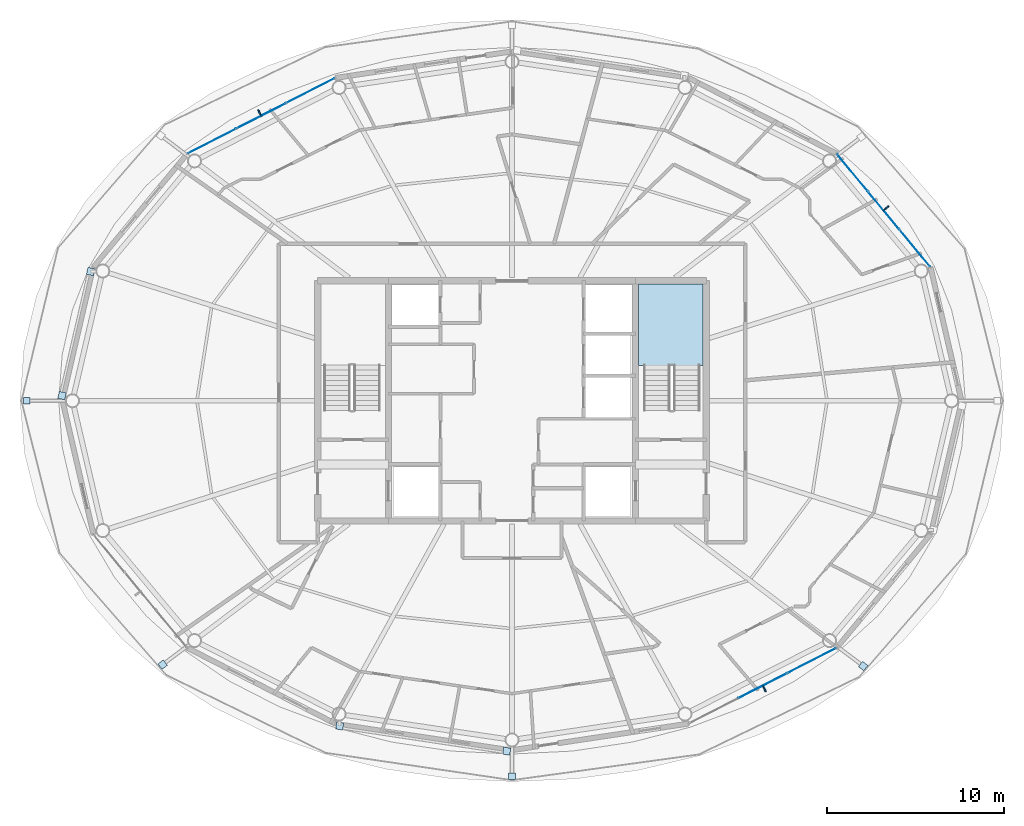
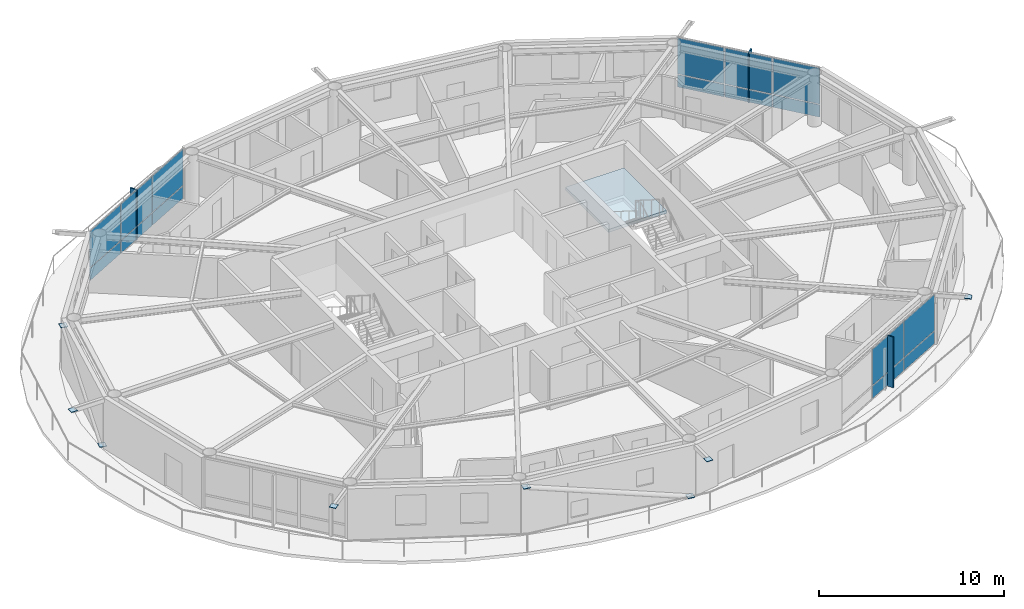
# One storey, part 14 of 23: 27 plates, 1 slab, 4 elements without a shape of their own.
"""IFC4 building model written with IfcOpenShell, lengths in metres."""

import ifcopenshell
import ifcopenshell.guid

model = None  # the IFC model being written
_history = None  # IfcOwnerHistory: only IFC2X3 demands one
_inside = {}  # id of a spatial element -> (the spatial element, [elements in it])
_under = {}  # id of a project, library or spatial element -> (it, [spatial elements below it])
_declared = {}  # id of a project -> (the project, [libraries it declares])
_typed = {}  # id of a type object -> (the type object, [elements of that type])
_made_of = {}  # id of a material, layer set ... -> (it, [elements and type objects made of it])


def new_model(schema):
    """Start an empty IFC model of exactly this schema.

    Asked for "IFC4X3", IfcOpenShell would pick the latest addendum, in which some entities
    have other attributes; the version numbers below select the first issue.
    IFC2X3 requires an IfcOwnerHistory on every rooted entity: one is made here for all.
    """
    global model, _history
    if schema == "IFC4X3":
        model = ifcopenshell.file(schema_version=(4, 3, 0, 0))
    else:
        model = ifcopenshell.file(schema=schema)
    _inside.clear()
    _under.clear()
    _declared.clear()
    _typed.clear()
    _made_of.clear()
    _history = None
    if model.schema == "IFC2X3":
        org = make("IfcOrganization", Name="unknown")
        user = make(
            "IfcPersonAndOrganization",
            ThePerson=make("IfcPerson", FamilyName="unknown"),
            TheOrganization=org,
        )
        app = make(
            "IfcApplication",
            ApplicationDeveloper=org,
            Version="unknown",
            ApplicationFullName="unknown",
            ApplicationIdentifier="unknown",
        )
        _history = make(
            "IfcOwnerHistory",
            OwningUser=user,
            OwningApplication=app,
            ChangeAction="ADDED",
            CreationDate=0,
        )
    return model


def make(cls, **values):
    """One entity of the class cls with the attributes given. An attribute that is None is left unset."""
    return model.create_entity(
        cls, **{name: value for name, value in values.items() if value is not None}
    )


def rooted(cls, **values):
    """An entity with a GlobalId (a new one), such as an element, a storey or a relation."""
    return make(cls, GlobalId=ifcopenshell.guid.new(), OwnerHistory=_history, **values)


def si_unit(unit_type, name, prefix=None):
    """IfcSIUnit, for example si_unit("LENGTHUNIT", "METRE", prefix="MILLI")."""
    return make("IfcSIUnit", UnitType=unit_type, Prefix=prefix, Name=name)


def assignment(units):
    """IfcUnitAssignment: the units of a project."""
    return None if units is None else make("IfcUnitAssignment", Units=units)


def point(xyz):
    """IfcCartesianPoint."""
    return None if xyz is None else make("IfcCartesianPoint", Coordinates=xyz)


def direction(xyz):
    """IfcDirection."""
    return None if xyz is None else make("IfcDirection", DirectionRatios=xyz)


def frame(location, z_axis=None, x_axis=None):
    """IfcAxis2Placement3D, a coordinate frame: its origin and axes. An axis left out is left unset."""
    return make(
        "IfcAxis2Placement3D",
        Location=point(location),
        Axis=direction(z_axis),
        RefDirection=direction(x_axis),
    )


def frame_2d(location, x_axis=None):
    """IfcAxis2Placement2D, a coordinate frame in the plane: its origin and x axis."""
    return make(
        "IfcAxis2Placement2D", Location=point(location), RefDirection=direction(x_axis)
    )


def origin():
    """The frame at (0, 0, 0) with its axes left unset."""
    return frame((0.0, 0.0, 0.0))


def origin_2d():
    """The frame at (0, 0) in the plane with its x axis left unset."""
    return frame_2d((0.0, 0.0))


def place(relative_to, where):
    """IfcLocalPlacement: puts the frame where relative to a parent placement (None: the world)."""
    return make(
        "IfcLocalPlacement", PlacementRelTo=relative_to, RelativePlacement=where
    )


def context(
    kind, dimensions, precision=None, world=None, true_north=None, identifier=None
):
    """IfcGeometricRepresentationContext, for example the 3D "Model" context."""
    return make(
        "IfcGeometricRepresentationContext",
        ContextIdentifier=identifier,
        ContextType=kind,
        CoordinateSpaceDimension=dimensions,
        Precision=precision,
        WorldCoordinateSystem=world,
        TrueNorth=true_north,
    )


def subcontext(parent, identifier, kind, view, scale=None):
    """IfcGeometricRepresentationSubContext, for example "Body" below "Model"."""
    return make(
        "IfcGeometricRepresentationSubContext",
        ContextIdentifier=identifier,
        ContextType=kind,
        ParentContext=parent,
        TargetScale=scale,
        TargetView=view,
    )


def project(units=None, contexts=None):
    """IfcProject with its units and contexts."""
    return rooted(
        "IfcProject",
        Name="project",
        RepresentationContexts=contexts,
        UnitsInContext=assignment(units),
    )


def spatial(cls, under=None, at=None, **own):
    """A site, building, storey or space (cls), placed at a placement, below another one or the project."""
    s = rooted(cls, ObjectPlacement=at, **own)
    if under is not None:
        _under.setdefault(under.id(), (under, []))[1].append(s)
    return s


def polyline(points):
    """IfcPolyline through the points."""
    return make("IfcPolyline", Points=[point(p) for p in points])


def profile(cls, at=None, kind="AREA", **sizes):
    """A parametric profile (cls). Its sizes go by their IFC names, for example OverallWidth=200.0."""
    return make(cls, ProfileType=kind, Position=at, **sizes)


def rectangle(**sizes):
    """IfcRectangleProfileDef."""
    return profile("IfcRectangleProfileDef", **sizes)


def outline(outer, holes=None, kind="AREA"):
    """IfcArbitraryClosedProfileDef: a profile drawn as a closed curve; with holes, ...WithVoids."""
    if holes is None:
        return make("IfcArbitraryClosedProfileDef", ProfileType=kind, OuterCurve=outer)
    return make(
        "IfcArbitraryProfileDefWithVoids",
        ProfileType=kind,
        OuterCurve=outer,
        InnerCurves=holes,
    )


def extrude(swept, where, along, depth):
    """IfcExtrudedAreaSolid: the profile swept, set in the frame where, extruded along a direction by depth."""
    return make(
        "IfcExtrudedAreaSolid",
        SweptArea=swept,
        Position=where,
        ExtrudedDirection=direction(along),
        Depth=depth,
    )


def shape(context_of_items, identifier, shape_type, items):
    """IfcShapeRepresentation: the items that make up one representation, for example the "Body"."""
    return make(
        "IfcShapeRepresentation",
        ContextOfItems=context_of_items,
        RepresentationIdentifier=identifier,
        RepresentationType=shape_type,
        Items=items,
    )


def material(Name=None, Category=None):
    """IfcMaterial."""
    return make("IfcMaterial", Name=Name, Category=Category)


def layer(
    of_material, thickness, ventilated=None, Name=None, Category=None, Priority=None
):
    """IfcMaterialLayer: one layer of a wall or slab, of a material (None: an air gap)."""
    return make(
        "IfcMaterialLayer",
        Material=of_material,
        LayerThickness=thickness,
        IsVentilated=ventilated,
        Name=Name,
        Category=Category,
        Priority=Priority,
    )


def layer_set(layers, Name=None):
    """IfcMaterialLayerSet."""
    return make("IfcMaterialLayerSet", MaterialLayers=layers, LayerSetName=Name)


def made_of(thing, what):
    """Note that an element or type object is made of a material, layer set ...; save() writes the relation."""
    if what is not None:
        _made_of.setdefault(what.id(), (what, []))[1].append(thing)
    return thing


def type_object(cls, material=None, **own):
    """A type object (cls), such as IfcWallType, which elements share."""
    return made_of(rooted(cls, **own), material)


def element(
    cls,
    number,
    at=None,
    inside=None,
    cuts=None,
    type_object=None,
    material=None,
    context=None,
    identifier="Body",
    shape_type=None,
    held_by="IfcProductDefinitionShape",
    body=None,
    shapes=None,
    **own,
):
    """One element of the class cls, such as IfcWall. Its Tag is "e" and its number.

    at: its placement. inside: the storey or other place that contains it. cuts: it is an
    opening in that element (IfcRelVoidsElement). A single representation is given by context,
    identifier, shape_type and body (its items); several are given by shapes. held_by: the class
    of the entity that holds the representations. save() writes the other relations.
    """
    e = rooted(cls, Tag="e%d" % number, ObjectPlacement=at, **own)
    if body is not None:
        shapes = [shape(context, identifier, shape_type, body)]
    if shapes is not None:
        e.Representation = make(held_by, Representations=shapes)
    if inside is not None:
        _inside.setdefault(inside.id(), (inside, []))[1].append(e)
    if cuts is not None:
        rooted(
            "IfcRelVoidsElement", RelatingBuildingElement=cuts, RelatedOpeningElement=e
        )
    if type_object is not None:
        _typed.setdefault(type_object.id(), (type_object, []))[1].append(e)
    return made_of(e, material)


def aggregate(whole, parts):
    """IfcRelAggregates: a whole, such as a stair, and the parts it consists of."""
    return rooted("IfcRelAggregates", RelatingObject=whole, RelatedObjects=parts)


def save(model, path):
    """Write the relations noted so far, then the file.

    IfcRelAggregates (storeys below a building ...), IfcRelContainedInSpatialStructure (elements
    in a storey), IfcRelDefinesByType, IfcRelAssociatesMaterial and IfcRelDeclares: one each for
    every whole, place, type object, material and project.
    """
    for whole, parts in _under.values():
        aggregate(whole, parts)
    for where, things in _inside.values():
        rooted(
            "IfcRelContainedInSpatialStructure",
            RelatedElements=things,
            RelatingStructure=where,
        )
    for kind, things in _typed.values():
        rooted("IfcRelDefinesByType", RelatedObjects=things, RelatingType=kind)
    for what, things in _made_of.values():
        rooted("IfcRelAssociatesMaterial", RelatedObjects=things, RelatingMaterial=what)
    for by, libraries in _declared.values():
        rooted("IfcRelDeclares", RelatingContext=by, RelatedDefinitions=libraries)
    model.write(path)


model = new_model("IFC4")

# Units and contexts
model_context = context("Model", 3, precision=1e-05, world=origin(), true_north=direction((0.0, 1.0)))
body_context = subcontext(model_context, "Body", "Model", "MODEL_VIEW")
ifc_project = project(units=[si_unit("LENGTHUNIT", "METRE"), si_unit("AREAUNIT", "SQUARE_METRE"), si_unit("VOLUMEUNIT", "CUBIC_METRE"), si_unit("PLANEANGLEUNIT", "RADIAN"), si_unit("MASSUNIT", "GRAM", prefix="KILO")], contexts=[model_context])

# Site, building, storey
site_placement = place(None, origin())
site = spatial("IfcSite", under=ifc_project, at=site_placement, CompositionType="ELEMENT")
building_placement = place(site_placement, origin())
building = spatial("IfcBuilding", under=site, at=building_placement, Name="Sarneth Arch Tower", CompositionType="ELEMENT")
storey_placement = place(building_placement, frame((0.0, 0.0, 276.60009765625)))
storey = spatial("IfcBuildingStorey", under=building, at=storey_placement, Name="L71", CompositionType="ELEMENT", Elevation=276.60009765625)

# Curtain wall, plates
ifc_material_1 = material(Name="Anodised aluminium Type AA25 and solar-control low-e laminated IGU", Category="aluminium")
ifc_layer_1 = layer(ifc_material_1, 0.179931640625)
ifc_layer_set_1 = layer_set([ifc_layer_1], Name="Anodised aluminium Type AA25 and solar-control low-e laminated IGU")
curtain_wall_type = type_object("IfcCurtainWallType", Name="CW-RES-HIGH", PredefinedType="NOTDEFINED", material=ifc_layer_set_1)
curtain_wall_1_placement = place(storey_placement, origin())
curtain_wall_1 = element("IfcCurtainWall", 1, at=curtain_wall_1_placement, inside=storey, type_object=curtain_wall_type, Name="L71 Unitised curtain wall facet 02", PredefinedType="NOTDEFINED")
ifc_material_2 = material(Name="Solar-control low-e laminated IGU", Category="glass")
ifc_layer_2 = layer(ifc_material_2, 0.028076171875)
ifc_layer_set_2 = layer_set([ifc_layer_2], Name="Solar-control low-e laminated IGU")
plate_type_1 = type_object("IfcPlateType", Name="CW-PANEL", PredefinedType="CURTAIN_PANEL", material=ifc_layer_set_2)
plate_1_placement = place(storey_placement, frame((70.799072265625, 50.650634765625, 0.059814453125), z_axis=(0.0, 0.0, 1.0), x_axis=(-0.637610094184, 0.770359245933, 0.0)))
plate_1 = element("IfcPlate", 2, at=plate_1_placement, type_object=plate_type_1, Name="Curtain wall glazed vision pane CW-L71-F02/P00-00", PredefinedType="CURTAIN_PANEL", context=body_context, shape_type="SweptSolid", body=[
    extrude(rectangle(XDim=2.686767578125, YDim=0.028076171875, at=origin_2d()), origin(), (0.0, 0.0, 1.0), 0.81005859375),
])
plate_2_placement = place(storey_placement, frame((70.799072265625, 50.650634765625, 0.929931640625), z_axis=(0.0, 0.0, 1.0), x_axis=(-0.637610094184, 0.770359245933, 0.0)))
plate_2 = element("IfcPlate", 3, at=plate_2_placement, type_object=plate_type_1, Name="Curtain wall glazed vision pane CW-L71-F02/P00-01", PredefinedType="CURTAIN_PANEL", context=body_context, shape_type="SweptSolid", body=[
    extrude(rectangle(XDim=2.686767578125, YDim=0.028076171875, at=origin_2d()), origin(), (0.0, 0.0, 1.0), 2.3798828125),
])
plate_3_placement = place(storey_placement, frame((69.0380859375, 52.778076171875, 0.059814453125), z_axis=(0.0, 0.0, 1.0), x_axis=(-0.637610094184, 0.770359245933, 0.0)))
plate_3 = element("IfcPlate", 4, at=plate_3_placement, type_object=plate_type_1, Name="Curtain wall glazed vision pane CW-L71-F02/P01-00", PredefinedType="CURTAIN_PANEL", context=body_context, shape_type="SweptSolid", body=[
    extrude(rectangle(XDim=2.716552734375, YDim=0.028076171875, at=origin_2d()), origin(), (0.0, 0.0, 1.0), 0.81005859375),
])
plate_4_placement = place(storey_placement, frame((69.0380859375, 52.778076171875, 0.929931640625), z_axis=(0.0, 0.0, 1.0), x_axis=(-0.637610094184, 0.770359245933, 0.0)))
plate_4 = element("IfcPlate", 5, at=plate_4_placement, type_object=plate_type_1, Name="Curtain wall glazed vision pane CW-L71-F02/P01-01", PredefinedType="CURTAIN_PANEL", context=body_context, shape_type="SweptSolid", body=[
    extrude(rectangle(XDim=2.716552734375, YDim=0.028076171875, at=origin_2d()), origin(), (0.0, 0.0, 1.0), 2.3798828125),
])
plate_5_placement = place(storey_placement, frame((67.27734375, 54.905517578125, 0.059814453125), z_axis=(0.0, 0.0, 1.0), x_axis=(-0.637610094184, 0.770359245933, 0.0)))
plate_5 = element("IfcPlate", 6, at=plate_5_placement, type_object=plate_type_1, Name="Curtain wall glazed vision pane CW-L71-F02/P02-00", PredefinedType="CURTAIN_PANEL", context=body_context, shape_type="SweptSolid", body=[
    extrude(rectangle(XDim=2.686767578125, YDim=0.028076171875, at=origin_2d()), origin(), (0.0, 0.0, 1.0), 0.81005859375),
])
plate_6_placement = place(storey_placement, frame((67.27734375, 54.905517578125, 0.929931640625), z_axis=(0.0, 0.0, 1.0), x_axis=(-0.637610094184, 0.770359245933, 0.0)))
plate_6 = element("IfcPlate", 7, at=plate_6_placement, type_object=plate_type_1, Name="Curtain wall glazed vision pane CW-L71-F02/P02-01", PredefinedType="CURTAIN_PANEL", context=body_context, shape_type="SweptSolid", body=[
    extrude(rectangle(XDim=2.686767578125, YDim=0.028076171875, at=origin_2d()), origin(), (0.0, 0.0, 1.0), 2.3798828125),
])
aggregate(curtain_wall_1, [plate_1, plate_2, plate_3, plate_4, plate_5, plate_6])

curtain_wall_2_placement = place(storey_placement, origin())
curtain_wall_2 = element("IfcCurtainWall", 8, at=curtain_wall_2_placement, inside=storey, type_object=curtain_wall_type, Name="L71 Unitised curtain wall facet 06", PredefinedType="NOTDEFINED")
plate_7_placement = place(storey_placement, frame((36.5791015625, 59.552978515625, 0.059814453125), z_axis=(0.0, 0.0, 1.0), x_axis=(-0.890009540525, -0.455941901753, 0.0)))
plate_7 = element("IfcPlate", 9, at=plate_7_placement, type_object=plate_type_1, Name="Curtain wall glazed vision pane CW-L71-F06/P00-00", PredefinedType="CURTAIN_PANEL", context=body_context, shape_type="SweptSolid", body=[
    extrude(rectangle(XDim=3.044677734375, YDim=0.028076171875, at=origin_2d()), origin(), (0.0, 0.0, 1.0), 0.81005859375),
])
plate_8_placement = place(storey_placement, frame((36.5791015625, 59.552978515625, 0.929931640625), z_axis=(0.0, 0.0, 1.0), x_axis=(-0.890009540525, -0.455941901753, 0.0)))
plate_8 = element("IfcPlate", 10, at=plate_8_placement, type_object=plate_type_1, Name="Curtain wall glazed vision pane CW-L71-F06/P00-01", PredefinedType="CURTAIN_PANEL", context=body_context, shape_type="SweptSolid", body=[
    extrude(rectangle(XDim=3.044677734375, YDim=0.028076171875, at=origin_2d()), origin(), (0.0, 0.0, 1.0), 2.3798828125),
])
plate_9_placement = place(storey_placement, frame((33.802490234375, 58.13037109375, 0.059814453125), z_axis=(0.0, 0.0, 1.0), x_axis=(-0.890009540525, -0.455941901753, 0.0)))
plate_9 = element("IfcPlate", 11, at=plate_9_placement, type_object=plate_type_1, Name="Curtain wall glazed vision pane CW-L71-F06/P01-00", PredefinedType="CURTAIN_PANEL", context=body_context, shape_type="SweptSolid", body=[
    extrude(rectangle(XDim=3.07470703125, YDim=0.028076171875, at=origin_2d()), origin(), (0.0, 0.0, 1.0), 0.81005859375),
])
plate_10_placement = place(storey_placement, frame((33.802490234375, 58.13037109375, 0.929931640625), z_axis=(0.0, 0.0, 1.0), x_axis=(-0.890009540525, -0.455941901753, 0.0)))
plate_10 = element("IfcPlate", 12, at=plate_10_placement, type_object=plate_type_1, Name="Curtain wall glazed vision pane CW-L71-F06/P01-01", PredefinedType="CURTAIN_PANEL", context=body_context, shape_type="SweptSolid", body=[
    extrude(rectangle(XDim=3.07470703125, YDim=0.028076171875, at=origin_2d()), origin(), (0.0, 0.0, 1.0), 2.3798828125),
])
plate_11_placement = place(storey_placement, frame((31.02587890625, 56.7080078125, 0.059814453125), z_axis=(0.0, 0.0, 1.0), x_axis=(-0.890009540525, -0.455941901753, 0.0)))
plate_11 = element("IfcPlate", 13, at=plate_11_placement, type_object=plate_type_1, Name="Curtain wall glazed vision pane CW-L71-F06/P02-00", PredefinedType="CURTAIN_PANEL", context=body_context, shape_type="SweptSolid", body=[
    extrude(rectangle(XDim=3.044677734375, YDim=0.028076171875, at=origin_2d()), origin(), (0.0, 0.0, 1.0), 0.81005859375),
])
plate_12_placement = place(storey_placement, frame((31.02587890625, 56.7080078125, 0.929931640625), z_axis=(0.0, 0.0, 1.0), x_axis=(-0.890009540525, -0.455941901753, 0.0)))
plate_12 = element("IfcPlate", 14, at=plate_12_placement, type_object=plate_type_1, Name="Curtain wall glazed vision pane CW-L71-F06/P02-01", PredefinedType="CURTAIN_PANEL", context=body_context, shape_type="SweptSolid", body=[
    extrude(rectangle(XDim=3.044677734375, YDim=0.028076171875, at=origin_2d()), origin(), (0.0, 0.0, 1.0), 2.3798828125),
])
aggregate(curtain_wall_2, [plate_7, plate_8, plate_9, plate_10, plate_11, plate_12])

curtain_wall_3_placement = place(storey_placement, origin())
curtain_wall_3 = element("IfcCurtainWall", 15, at=curtain_wall_3_placement, inside=storey, type_object=curtain_wall_type, Name="L71 Unitised curtain wall facet 14", PredefinedType="NOTDEFINED")
plate_13_placement = place(storey_placement, frame((62.197509765625, 25.86962890625, 0.059814453125), z_axis=(0.0, 0.0, 1.0), x_axis=(0.890009540525, 0.455941901753, 0.0)))
plate_13 = element("IfcPlate", 16, at=plate_13_placement, type_object=plate_type_1, Name="Curtain wall glazed vision pane CW-L71-F14/P01-00", PredefinedType="CURTAIN_PANEL", context=body_context, shape_type="SweptSolid", body=[
    extrude(rectangle(XDim=3.07470703125, YDim=0.028076171875, at=origin_2d()), origin(), (0.0, 0.0, 1.0), 0.81005859375),
])
plate_14_placement = place(storey_placement, frame((62.197509765625, 25.86962890625, 0.929931640625), z_axis=(0.0, 0.0, 1.0), x_axis=(0.890009540525, 0.455941901753, 0.0)))
plate_14 = element("IfcPlate", 17, at=plate_14_placement, type_object=plate_type_1, Name="Curtain wall glazed vision pane CW-L71-F14/P01-01", PredefinedType="CURTAIN_PANEL", context=body_context, shape_type="SweptSolid", body=[
    extrude(rectangle(XDim=3.07470703125, YDim=0.028076171875, at=origin_2d()), origin(), (0.0, 0.0, 1.0), 2.3798828125),
])
plate_15_placement = place(storey_placement, frame((64.97412109375, 27.2919921875, 0.059814453125), z_axis=(0.0, 0.0, 1.0), x_axis=(0.890009540525, 0.455941901753, 0.0)))
plate_15 = element("IfcPlate", 18, at=plate_15_placement, type_object=plate_type_1, Name="Curtain wall glazed vision pane CW-L71-F14/P02-00", PredefinedType="CURTAIN_PANEL", context=body_context, shape_type="SweptSolid", body=[
    extrude(rectangle(XDim=3.044677734375, YDim=0.028076171875, at=origin_2d()), origin(), (0.0, 0.0, 1.0), 0.81005859375),
])
plate_16_placement = place(storey_placement, frame((64.97412109375, 27.2919921875, 0.929931640625), z_axis=(0.0, 0.0, 1.0), x_axis=(0.890009540525, 0.455941901753, 0.0)))
plate_16 = element("IfcPlate", 19, at=plate_16_placement, type_object=plate_type_1, Name="Curtain wall glazed vision pane CW-L71-F14/P02-01", PredefinedType="CURTAIN_PANEL", context=body_context, shape_type="SweptSolid", body=[
    extrude(rectangle(XDim=3.044677734375, YDim=0.028076171875, at=origin_2d()), origin(), (0.0, 0.0, 1.0), 2.3798828125),
])
aggregate(curtain_wall_3, [plate_13, plate_14, plate_15, plate_16])

# Plates
ifc_material_3 = material(Name="Steel S355", Category="steel")
ifc_layer_3 = layer(ifc_material_3, 0.035888671875)
ifc_layer_set_3 = layer_set([ifc_layer_3], Name="Steel S355")
plate_type_2 = type_object("IfcPlateType", Name="PLT-GUSSET-30", PredefinedType="SHEET", material=ifc_layer_set_3)
for number, where, z_axis, x_axis, name in (
    (20, (22.5234375, 42.292236328125, 0.001953125), (0.0, 0.0, 1.0), (-0.225461202458, -0.974252147129, 0.0), "Steel end cap plate GP-1"),
    (21, (24.148193359375, 49.3154296875, 3.07421875), (0.0, 0.0, 1.0), (-0.225461202458, -0.974252147129, 0.0), "Steel end cap plate GP-1"),
):
    element("IfcPlate", number, at=place(storey_placement, frame(where, z_axis=z_axis, x_axis=x_axis)), inside=storey, type_object=plate_type_2, Name=name, PredefinedType="SHEET", context=body_context, shape_type="SweptSolid", body=[
        extrude(rectangle(XDim=0.404052734375, YDim=0.404052734375, at=origin_2d()), origin(), (0.0, 0.0, 1.0), 0.035888671875),
    ])
for number, where, z_axis, x_axis, name in (
    (22, (20.52490234375, 42.0, 3.19189453125), (0.0, 0.0, 1.0), (-1.0, 0.0, 0.0), "Steel end cap plate GP-1"),
    (23, (28.22265625, 27.0625, 3.19189453125), (0.0, 0.0, 1.0), (-0.798004853043, -0.602651022168, 0.0), "Steel end cap plate GP-1"),
):
    element("IfcPlate", number, at=place(storey_placement, frame(where, z_axis=z_axis, x_axis=x_axis)), inside=storey, type_object=plate_type_2, Name=name, PredefinedType="SHEET", context=body_context, shape_type="SweptSolid", body=[
        extrude(rectangle(XDim=0.3798828125, YDim=0.3798828125, at=origin_2d()), origin(), (0.0, 0.0, 1.0), 0.035888671875),
    ])
for number, where, z_axis, x_axis, name in (
    (24, (47.703369140625, 22.16455078125, 0.001953125), (0.0, 0.0, 1.0), (0.988860535448, -0.148845024885, 0.0), "Steel end cap plate GP-1"),
    (25, (38.245849609375, 23.588623046875, 3.07421875), (0.0, 0.0, 1.0), (0.988860535448, -0.148845024885, 0.0), "Steel end cap plate GP-1"),
):
    element("IfcPlate", number, at=place(storey_placement, frame(where, z_axis=z_axis, x_axis=x_axis)), inside=storey, type_object=plate_type_2, Name=name, PredefinedType="SHEET", context=body_context, shape_type="SweptSolid", body=[
        extrude(rectangle(XDim=0.404052734375, YDim=0.404052734375, at=origin_2d()), origin(), (0.0, 0.0, 1.0), 0.035888671875),
    ])
for number, where, z_axis, x_axis, name in (
    (26, (48.0, 20.741943359375, 3.19189453125), (0.0, 0.0, 1.0), (0.0, -1.0, 0.0), "Steel end cap plate GP-1"),
    (27, (67.883544921875, 26.982177734375, 3.19189453125), (0.0, 0.0, 1.0), (0.798004853043, -0.602651022168, 0.0), "Steel end cap plate GP-1"),
):
    element("IfcPlate", number, at=place(storey_placement, frame(where, z_axis=z_axis, x_axis=x_axis)), inside=storey, type_object=plate_type_2, Name=name, PredefinedType="SHEET", context=body_context, shape_type="SweptSolid", body=[
        extrude(rectangle(XDim=0.3798828125, YDim=0.3798828125, at=origin_2d()), origin(), (0.0, 0.0, 1.0), 0.035888671875),
    ])
ifc_material_4 = material(Name="Extruded glazed terracotta baguette fin on Aluminium 6063-T6 carrier", Category="masonry")
ifc_layer_4 = layer(ifc_material_4, 0.080078125)
ifc_layer_set_4 = layer_set([ifc_layer_4], Name="Extruded glazed terracotta baguette fin on Aluminium 6063-T6 carrier")
plate_type_3 = type_object("IfcPlateType", Name="SHADE-TERRA-FIN", PredefinedType="SHEET", material=ifc_layer_set_4)
for number, where, z_axis, x_axis, name in (
    (28, (69.169189453125, 52.886474609375, 0.009765625), (0.0, 0.0, 1.0), (0.770401979567, 0.63755845997, 0.0), "L71 Terracotta vertical shading fin 02"),
    (29, (33.724853515625, 58.28173828125, 0.009765625), (0.0, 0.0, 1.0), (-0.456010959102, 0.889974159838, 0.0), "L71 Terracotta vertical shading fin 06"),
    (30, (62.275146484375, 25.71826171875, 0.009765625), (0.0, 0.0, 1.0), (0.456010959102, -0.889974159838, 0.0), "L71 Terracotta vertical shading fin 14"),
):
    element("IfcPlate", number, at=place(storey_placement, frame(where, z_axis=z_axis, x_axis=x_axis)), inside=storey, type_object=plate_type_3, Name=name, PredefinedType="SHEET", context=body_context, shape_type="SweptSolid", body=[
        extrude(rectangle(XDim=0.419921875, YDim=0.080078125, at=origin_2d()), origin(), (0.0, 0.0, 1.0), 3.35009765625),
    ])

# Stair, slab
ifc_material_5 = material(Name="Concrete C50/60", Category="concrete")
stair_type = type_object("IfcStairType", Name="STAIR-CORE-RC", PredefinedType="HALF_TURN_STAIR", material=ifc_material_5)
stair_placement = place(storey_placement, origin())
stair = element("IfcStair", 31, at=stair_placement, inside=storey, type_object=stair_type, Name="L71 Core Exit Stair 2", PredefinedType="HALF_TURN_STAIR")
ifc_material_6 = material(Name="Concrete C50/60", Category="concrete")
ifc_layer_5 = layer(ifc_material_6, 0.199951171875)
ifc_layer_set_5 = layer_set([ifc_layer_5], Name="Concrete C50/60")
slab_type = type_object("IfcSlabType", Name="SLAB-LANDING-200", PredefinedType="LANDING", material=ifc_layer_set_5)
slab_placement = place(storey_placement, frame((0.0, 0.0, 1.599853515625)))
slab = element("IfcSlab", 32, at=slab_placement, type_object=slab_type, Name="ST-2 landing 1", PredefinedType="LANDING", context=body_context, shape_type="SweptSolid", body=[
    extrude(outline(polyline([(55.175048828125, 43.985107421875), (58.824951171875, 43.985107421875), (58.824951171875, 48.625), (55.175048828125, 48.625), (55.175048828125, 43.985107421875)])), origin(), (0.0, 0.0, 1.0), 0.199951171875),
])
aggregate(stair, [slab])

save(model, "model.ifc")
